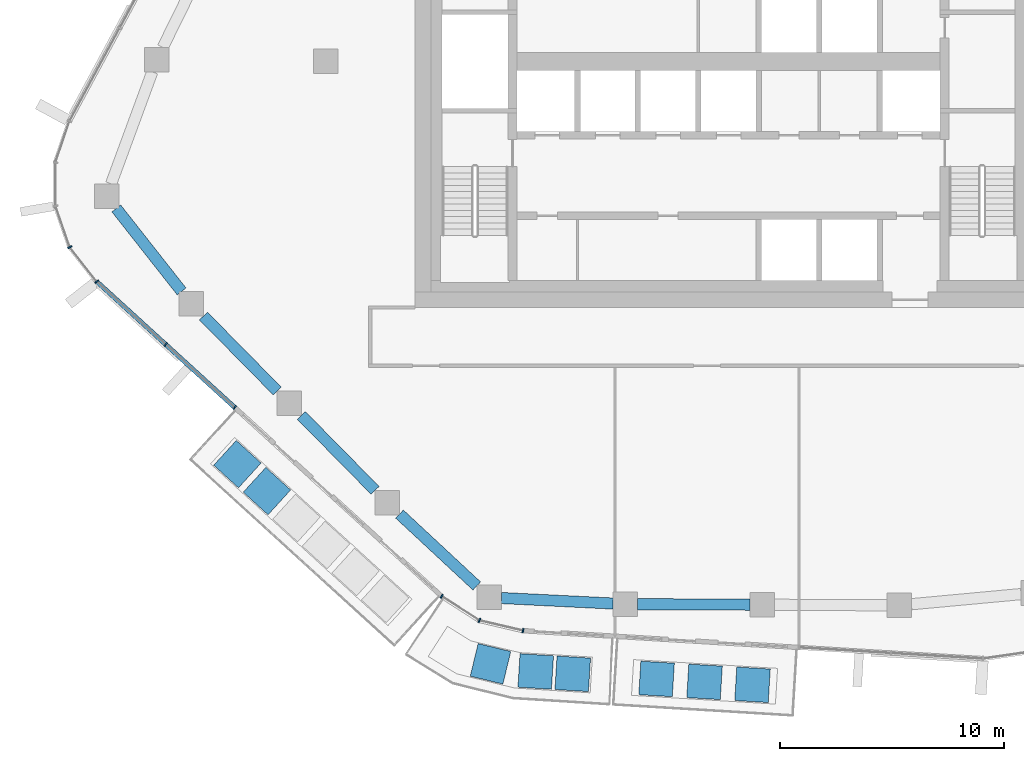
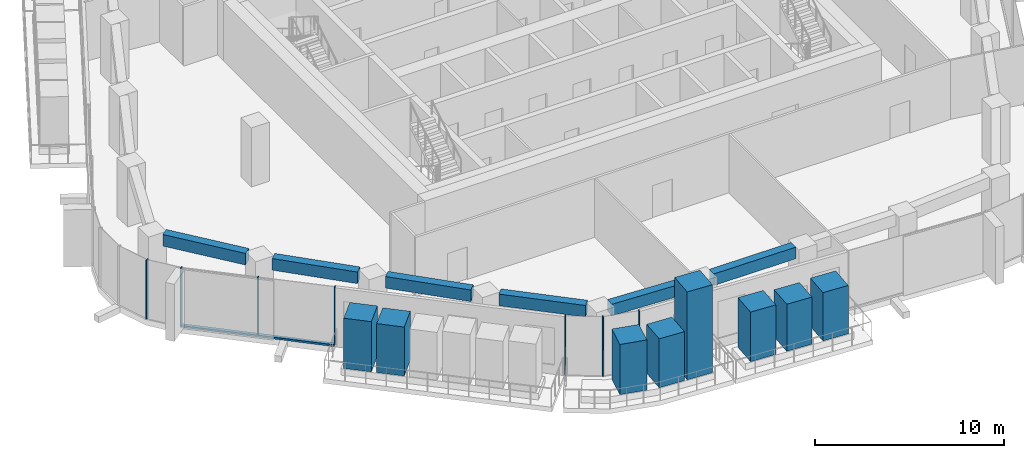
# One storey, part 2 of 20: 16 members, 6 beams, 3 elements without a shape of their own.
"""IFC4 building model written with IfcOpenShell, lengths in metres."""

from ifc_helpers import new_model, si_unit, direction, frame, origin, origin_2d, place, context, subcontext, project, spatial, rectangle, extrude, material, layer, layer_set, material_profile, profile_set, type_object, element, aggregate, save


model = new_model("IFC4")

# Units and contexts
model_context = context("Model", 3, precision=1e-05, world=origin(), true_north=direction((0.0, 1.0)))
body_context = subcontext(model_context, "Body", "Model", "MODEL_VIEW")
ifc_project = project(units=[si_unit("LENGTHUNIT", "METRE"), si_unit("AREAUNIT", "SQUARE_METRE"), si_unit("VOLUMEUNIT", "CUBIC_METRE"), si_unit("PLANEANGLEUNIT", "RADIAN"), si_unit("MASSUNIT", "GRAM", prefix="KILO")], contexts=[model_context])

# Site, building, storey
site_placement = place(None, origin())
site = spatial("IfcSite", under=ifc_project, at=site_placement, CompositionType="ELEMENT")
building_placement = place(site_placement, origin())
building = spatial("IfcBuilding", under=site, at=building_placement, Name="Dongbaek Canopy Tower", CompositionType="ELEMENT")
storey_placement = place(building_placement, frame((0.0, 0.0, 262.199951171875)))
storey = spatial("IfcBuildingStorey", under=building, at=storey_placement, Name="L55", CompositionType="ELEMENT", Elevation=262.199951171875)

# Curtain wall, members
ifc_material_1 = material(Name="Aluminium 6063-T6 pale anodised", Category="aluminium")
ifc_layer = layer(ifc_material_1, 0.199951171875)
ifc_layer_set = layer_set([ifc_layer], Name="CW-1 unitised tower curtain wall")
curtain_wall_type = type_object("IfcCurtainWallType", Name="CW-1 unitised tower curtain wall", PredefinedType="NOTDEFINED", material=ifc_layer_set)
curtain_wall_1_placement = place(storey_placement, origin())
curtain_wall_1 = element("IfcCurtainWall", 1, at=curtain_wall_1_placement, inside=storey, type_object=curtain_wall_type, Name="CW-1 curtain wall K3.1", PredefinedType="NOTDEFINED")
ifc_material_2 = material(Name="Aluminium 6063-T6 pale anodised", Category="aluminium")
ifc_material_profile_1 = material_profile(ifc_material_2, rectangle(XDim=0.199951171875, YDim=0.06005859375, at=origin_2d()), Name="CW-1 mullion 60 x 200")
ifc_profile_set_1 = profile_set([ifc_material_profile_1], Name="Aluminium 6063-T6 pale anodised")
member_type_1 = type_object("IfcMemberType", Name="CW-1 mullion 60 x 200", PredefinedType="MULLION", material=ifc_profile_set_1)
member_1_placement = place(storey_placement, frame((-29.42822265625, -8.302978515625, 0.0), z_axis=(0.0, 0.0, 1.0), x_axis=(-0.877719725714, -0.479174376498, 0.0)))
member_1 = element("IfcMember", 2, at=member_1_placement, type_object=member_type_1, Name="CW-1 mullion K3.1.4", PredefinedType="MULLION", context=body_context, shape_type="SweptSolid", body=[
    extrude(rectangle(XDim=0.199951171875, YDim=0.06005859375, at=origin_2d()), origin(), (0.0, 0.0, 1.0), 3.820068359375),
])
member_2_placement = place(storey_placement, frame((-28.220703125, -9.84130859375, 0.0), z_axis=(0.0, 0.0, 1.0), x_axis=(-0.786588619061, -0.61747740393, 0.0)))
member_2 = element("IfcMember", 3, at=member_2_placement, type_object=member_type_1, Name="CW-1 mullion K3.1.5", PredefinedType="MULLION", context=body_context, shape_type="SweptSolid", body=[
    extrude(rectangle(XDim=0.199951171875, YDim=0.06005859375, at=origin_2d()), origin(), (0.0, 0.0, 1.0), 3.820068359375),
])
aggregate(curtain_wall_1, [member_1, member_2])

curtain_wall_2_placement = place(storey_placement, origin())
curtain_wall_2 = element("IfcCurtainWall", 4, at=curtain_wall_2_placement, inside=storey, type_object=curtain_wall_type, Name="CW-1 curtain wall F3.1", PredefinedType="NOTDEFINED")
member_3_placement = place(storey_placement, frame((-25.142822265625, -12.648681640625, 0.1201171875), z_axis=(0.0, 0.0, 1.0), x_axis=(-0.673879336739, -0.738841417028, 0.0)))
member_3 = element("IfcMember", 5, at=member_3_placement, type_object=member_type_1, Name="CW-1 mullion F3.1.2", PredefinedType="MULLION", context=body_context, shape_type="SweptSolid", body=[
    extrude(rectangle(XDim=0.199951171875, YDim=0.06005859375, at=origin_2d()), origin(), (0.0, 0.0, 1.0), 3.699951171875),
])
member_4_placement = place(storey_placement, frame((-22.058837890625, -15.46142578125, 0.1201171875), z_axis=(0.0, 0.0, 1.0), x_axis=(-0.673879336739, -0.738841417028, 0.0)))
member_4 = element("IfcMember", 6, at=member_4_placement, type_object=member_type_1, Name="CW-1 mullion F3.1.3", PredefinedType="MULLION", context=body_context, shape_type="SweptSolid", body=[
    extrude(rectangle(XDim=0.199951171875, YDim=0.06005859375, at=origin_2d()), origin(), (0.0, 0.0, 1.0), 3.699951171875),
])

curtain_wall_3_placement = place(storey_placement, origin())
curtain_wall_3 = element("IfcCurtainWall", 7, at=curtain_wall_3_placement, inside=storey, type_object=curtain_wall_type, Name="CW-1 curtain wall K4.1", PredefinedType="NOTDEFINED")
member_5_placement = place(storey_placement, frame((-12.81298828125, -23.894287109375, 0.0), z_axis=(0.0, 0.0, 1.0), x_axis=(-0.539447700061, -0.842019108393, 0.0)))
member_5 = element("IfcMember", 8, at=member_5_placement, type_object=member_type_1, Name="CW-1 mullion K4.1.1", PredefinedType="MULLION", context=body_context, shape_type="SweptSolid", body=[
    extrude(rectangle(XDim=0.199951171875, YDim=0.06005859375, at=origin_2d()), origin(), (0.0, 0.0, 1.0), 3.820068359375),
])
member_6_placement = place(storey_placement, frame((-11.12841796875, -24.9736328125, 0.0), z_axis=(0.0, 0.0, 1.0), x_axis=(-0.389524473551, -0.921016115225, 0.0)))
member_6 = element("IfcMember", 9, at=member_6_placement, type_object=member_type_1, Name="CW-1 mullion K4.1.2", PredefinedType="MULLION", context=body_context, shape_type="SweptSolid", body=[
    extrude(rectangle(XDim=0.199951171875, YDim=0.06005859375, at=origin_2d()), origin(), (0.0, 0.0, 1.0), 3.820068359375),
])
member_7_placement = place(storey_placement, frame((-9.1806640625, -25.430419921875, 0.0), z_axis=(0.0, 0.0, 1.0), x_axis=(-0.228415077607, -0.973563840907, 0.0)))
member_7 = element("IfcMember", 10, at=member_7_placement, type_object=member_type_1, Name="CW-1 mullion K4.1.3", PredefinedType="MULLION", context=body_context, shape_type="SweptSolid", body=[
    extrude(rectangle(XDim=0.199951171875, YDim=0.06005859375, at=origin_2d()), origin(), (0.0, 0.0, 1.0), 3.820068359375),
])
aggregate(curtain_wall_3, [member_5, member_6, member_7])

# Member
ifc_material_3 = material(Name="Aluminium 6063-T6 pale anodised", Category="aluminium")
ifc_material_profile_2 = material_profile(ifc_material_3, rectangle(XDim=0.199951171875, YDim=0.1201171875, at=origin_2d()), Name="CW-1 transom 120 x 200")
ifc_profile_set_2 = profile_set([ifc_material_profile_2], Name="Aluminium 6063-T6 pale anodised")
member_type_2 = type_object("IfcMemberType", Name="CW-1 transom 120 x 200", PredefinedType="USERDEFINED", material=ifc_profile_set_2)
member_8_placement = place(storey_placement, frame((-28.220703125, -9.84130859375, 0.06005859375), z_axis=(0.738839664482, -0.673881258226, 0.0), x_axis=(0.673881258226, 0.738839664482, 0.0)))
member_8 = element("IfcMember", 11, at=member_8_placement, type_object=member_type_2, Name="CW-1 transom F3.1.1", ObjectType="TRANSOM", PredefinedType="USERDEFINED", context=body_context, shape_type="SweptSolid", body=[
    extrude(rectangle(XDim=0.199951171875, YDim=0.1201171875, at=origin_2d()), origin(), (0.0, 0.0, 1.0), 8.33984375),
])

aggregate(curtain_wall_2, [member_3, member_4, member_8])

# Beams
ifc_material_4 = material(Name="Concrete C70", Category="concrete")
ifc_material_profile_3 = material_profile(ifc_material_4, rectangle(XDim=0.5, YDim=0.75, at=origin_2d()), Name="RC EDGE BEAM 500x750 C70")
ifc_profile_set_3 = profile_set([ifc_material_profile_3], Name="Concrete C70")
beam_type = type_object("IfcBeamType", Name="RC EDGE BEAM 500x750 C70", PredefinedType="BEAM", material=ifc_profile_set_3)
beam_1_placement = place(storey_placement, frame((0.951904296875, -24.269775390625, 3.445068359375), z_axis=(-0.999990816155, 0.0042857445, 0.0), x_axis=(-0.0042857445, -0.999990816155, 0.0)))
element("IfcBeam", 12, at=beam_1_placement, inside=storey, type_object=beam_type, Name="EDGEBEAM:L55:02", PredefinedType="BEAM", context=body_context, shape_type="SweptSolid", body=[
    extrude(rectangle(XDim=0.5, YDim=0.75, at=origin_2d()), origin(), (0.0, 0.0, 1.0), 5.012939453125),
])
beam_2_placement = place(storey_placement, frame((-5.160888671875, -24.218994140625, 3.445068359375), z_axis=(-0.998786614333, 0.049247325106, 0.0), x_axis=(-0.049247325106, -0.998786614333, 0.0)))
element("IfcBeam", 13, at=beam_2_placement, inside=storey, type_object=beam_type, Name="EDGEBEAM:L55:03", PredefinedType="BEAM", context=body_context, shape_type="SweptSolid", body=[
    extrude(rectangle(XDim=0.5, YDim=0.75, at=origin_2d()), origin(), (0.0, 0.0, 1.0), 4.9921875),
])
beam_3_placement = place(storey_placement, frame((-11.2470703125, -23.434326171875, 3.445068359375), z_axis=(-0.732241423494, 0.681045151014, 0.0), x_axis=(-0.681045151014, -0.732241423494, 0.0)))
element("IfcBeam", 14, at=beam_3_placement, inside=storey, type_object=beam_type, Name="EDGEBEAM:L55:04", PredefinedType="BEAM", context=body_context, shape_type="SweptSolid", body=[
    extrude(rectangle(XDim=0.5, YDim=0.75, at=origin_2d()), origin(), (0.0, 0.0, 1.0), 4.71142578125),
])
beam_4_placement = place(storey_placement, frame((-15.788818359375, -19.1640625, 3.445068359375), z_axis=(-0.701699383964, 0.712473139525, 0.0), x_axis=(-0.712473139525, -0.701699383964, 0.0)))
element("IfcBeam", 15, at=beam_4_placement, inside=storey, type_object=beam_type, Name="EDGEBEAM:L55:05", PredefinedType="BEAM", context=body_context, shape_type="SweptSolid", body=[
    extrude(rectangle(XDim=0.5, YDim=0.75, at=origin_2d()), origin(), (0.0, 0.0, 1.0), 4.690673828125),
])
beam_5_placement = place(storey_placement, frame((-20.16357421875, -14.721923828125, 3.445068359375), z_axis=(-0.701621732034, 0.712549608896, 0.0), x_axis=(-0.712549608896, -0.701621732034, 0.0)))
element("IfcBeam", 16, at=beam_5_placement, inside=storey, type_object=beam_type, Name="EDGEBEAM:L55:06", PredefinedType="BEAM", context=body_context, shape_type="SweptSolid", body=[
    extrude(rectangle(XDim=0.5, YDim=0.75, at=origin_2d()), origin(), (0.0, 0.0, 1.0), 4.691650390625),
])
beam_6_placement = place(storey_placement, frame((-24.429931640625, -10.279052734375, 3.445068359375), z_axis=(-0.618474671525, 0.785804734449, 0.0), x_axis=(-0.785804734449, -0.618474671525, 0.0)))
element("IfcBeam", 17, at=beam_6_placement, inside=storey, type_object=beam_type, Name="EDGEBEAM:L55:07", PredefinedType="BEAM", context=body_context, shape_type="SweptSolid", body=[
    extrude(rectangle(XDim=0.5, YDim=0.75, at=origin_2d()), origin(), (0.0, 0.0, 1.0), 4.719970703125),
])

# Members
ifc_material_5 = material(Name="Concrete C40/50 planter mass with planting", Category="concrete")
ifc_material_profile_4 = material_profile(ifc_material_5, rectangle(XDim=1.5, YDim=1.5, at=origin_2d()), Name="Terrace PLANTER shrub mass 1500 x 1500")
ifc_profile_set_4 = profile_set([ifc_material_profile_4], Name="Concrete C40/50 planter mass with planting")
member_type_3 = type_object("IfcMemberType", Name="Terrace PLANTER shrub mass 1500 x 1500", PredefinedType="USERDEFINED", material=ifc_profile_set_4)
member_9_placement = place(storey_placement, frame((-21.93994140625, -17.99267578125, 0.420166015625), z_axis=(0.0, 0.0, 1.0), x_axis=(-0.673879336739, -0.738841417028, 0.0)))
element("IfcMember", 18, at=member_9_placement, inside=storey, type_object=member_type_3, Name="Planter shrubs L55 3.1", ObjectType="PLANTER", PredefinedType="USERDEFINED", context=body_context, shape_type="SweptSolid", body=[
    extrude(rectangle(XDim=1.5, YDim=1.5, at=origin_2d()), origin(), (0.0, 0.0, 1.0), 3.25),
])
member_10_placement = place(storey_placement, frame((-20.61962890625, -19.19677734375, 0.420166015625), z_axis=(0.0, 0.0, 1.0), x_axis=(-0.673879336739, -0.738841417028, 0.0)))
element("IfcMember", 19, at=member_10_placement, inside=storey, type_object=member_type_3, Name="Planter shrubs L55 3.2", ObjectType="PLANTER", PredefinedType="USERDEFINED", context=body_context, shape_type="SweptSolid", body=[
    extrude(rectangle(XDim=1.5, YDim=1.5, at=origin_2d()), origin(), (0.0, 0.0, 1.0), 3.169921875),
])
member_11_placement = place(storey_placement, frame((-3.21630859375, -27.586669921875, 0.420166015625), z_axis=(0.0, 0.0, 1.0), x_axis=(-0.060746171441, -0.998153246078, 0.0)))
element("IfcMember", 20, at=member_11_placement, inside=storey, type_object=member_type_3, Name="Planter shrubs L55 4.1", ObjectType="PLANTER", PredefinedType="USERDEFINED", context=body_context, shape_type="SweptSolid", body=[
    extrude(rectangle(XDim=1.5, YDim=1.5, at=origin_2d()), origin(), (0.0, 0.0, 1.0), 3.2099609375),
])
member_12_placement = place(storey_placement, frame((-1.07373046875, -27.71728515625, 0.420166015625), z_axis=(0.0, 0.0, 1.0), x_axis=(-0.060746171441, -0.998153246078, 0.0)))
element("IfcMember", 21, at=member_12_placement, inside=storey, type_object=member_type_3, Name="Planter shrubs L55 4.2", ObjectType="PLANTER", PredefinedType="USERDEFINED", context=body_context, shape_type="SweptSolid", body=[
    extrude(rectangle(XDim=1.5, YDim=1.5, at=origin_2d()), origin(), (0.0, 0.0, 1.0), 3.0498046875),
])
member_13_placement = place(storey_placement, frame((1.06884765625, -27.84765625, 0.420166015625), z_axis=(0.0, 0.0, 1.0), x_axis=(-0.060746171441, -0.998153246078, 0.0)))
element("IfcMember", 22, at=member_13_placement, inside=storey, type_object=member_type_3, Name="Planter shrubs L55 4.3", ObjectType="PLANTER", PredefinedType="USERDEFINED", context=body_context, shape_type="SweptSolid", body=[
    extrude(rectangle(XDim=1.5, YDim=1.5, at=origin_2d()), origin(), (0.0, 0.0, 1.0), 3.1298828125),
])
member_14_placement = place(storey_placement, frame((-10.63330078125, -26.91259765625, 0.420166015625), z_axis=(0.0, 0.0, 1.0), x_axis=(-0.235622231072, -0.971844722281, 0.0)))
element("IfcMember", 23, at=member_14_placement, inside=storey, type_object=member_type_3, Name="Planter shrubs L55 7.1", ObjectType="PLANTER", PredefinedType="USERDEFINED", context=body_context, shape_type="SweptSolid", body=[
    extrude(rectangle(XDim=1.5, YDim=1.5, at=origin_2d()), origin(), (0.0, 0.0, 1.0), 3.25),
])
member_15_placement = place(storey_placement, frame((-8.614013671875, -27.253662109375, 0.420166015625), z_axis=(0.0, 0.0, 1.0), x_axis=(-0.062577164693, -0.998040128682, 0.0)))
element("IfcMember", 24, at=member_15_placement, inside=storey, type_object=member_type_3, Name="Planter shrubs L55 7.2", ObjectType="PLANTER", PredefinedType="USERDEFINED", context=body_context, shape_type="SweptSolid", body=[
    extrude(rectangle(XDim=1.5, YDim=1.5, at=origin_2d()), origin(), (0.0, 0.0, 1.0), 3.169921875),
])
member_16_placement = place(storey_placement, frame((-6.960693359375, -27.357421875, 0.420166015625), z_axis=(0.0, 0.0, 1.0), x_axis=(-0.062577164693, -0.998040128682, 0.0)))
element("IfcMember", 25, at=member_16_placement, inside=storey, type_object=member_type_3, Name="Planter tree L55 7.3", ObjectType="PLANTER", PredefinedType="USERDEFINED", context=body_context, shape_type="SweptSolid", body=[
    extrude(rectangle(XDim=1.5, YDim=1.5, at=origin_2d()), origin(), (0.0, 0.0, 1.0), 5.68994140625),
])

save(model, "model.ifc")
